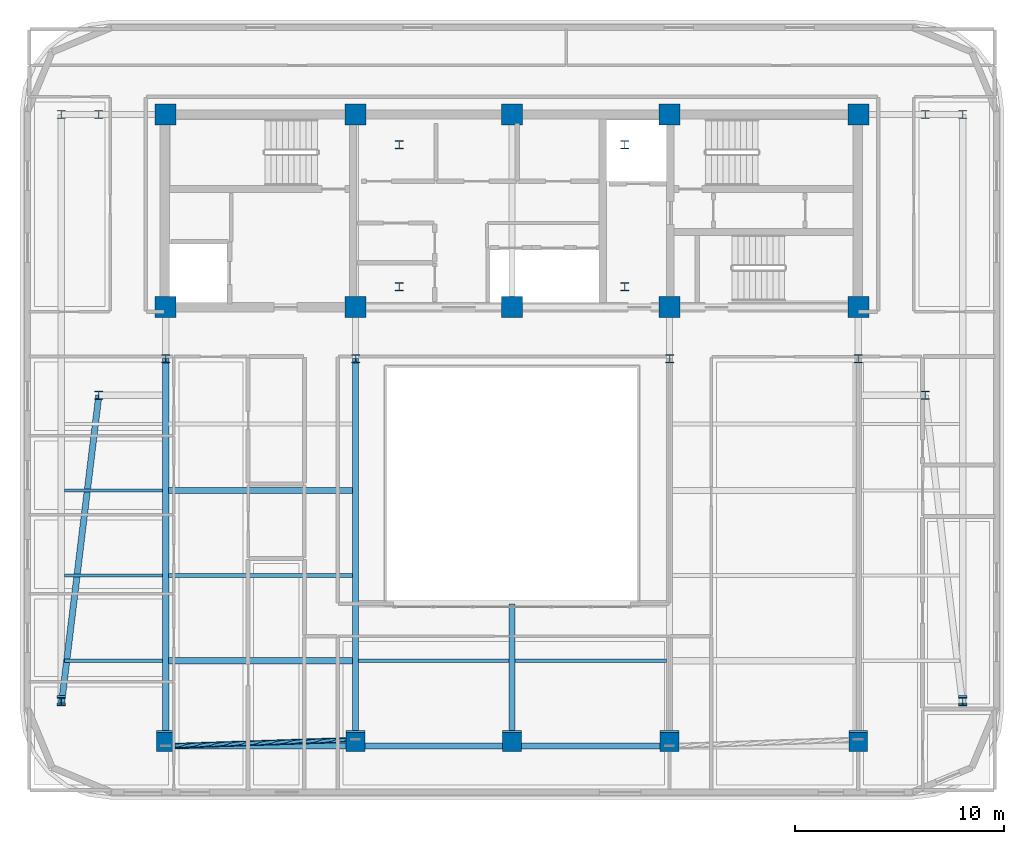
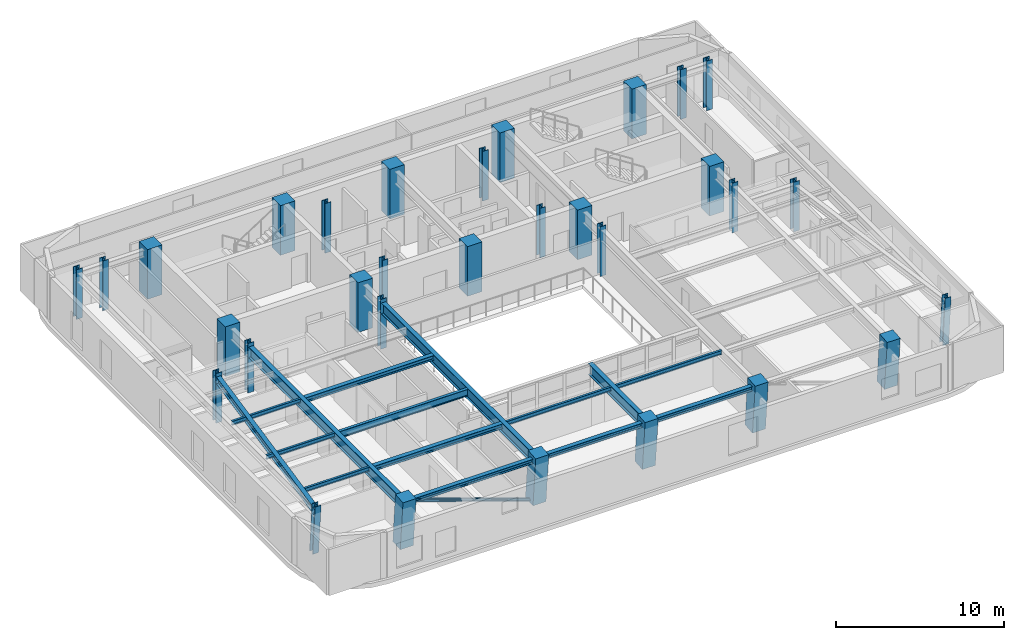
# One storey, part 1 of 14: 31 columns, 15 beams, 1 member.
"""IFC4 building model written with IfcOpenShell, lengths in metres."""

import ifcopenshell
import ifcopenshell.guid

model = None  # the IFC model being written
_history = None  # IfcOwnerHistory: only IFC2X3 demands one
_inside = {}  # id of a spatial element -> (the spatial element, [elements in it])
_under = {}  # id of a project, library or spatial element -> (it, [spatial elements below it])
_declared = {}  # id of a project -> (the project, [libraries it declares])
_typed = {}  # id of a type object -> (the type object, [elements of that type])
_made_of = {}  # id of a material, layer set ... -> (it, [elements and type objects made of it])


def new_model(schema):
    """Start an empty IFC model of exactly this schema.

    Asked for "IFC4X3", IfcOpenShell would pick the latest addendum, in which some entities
    have other attributes; the version numbers below select the first issue.
    IFC2X3 requires an IfcOwnerHistory on every rooted entity: one is made here for all.
    """
    global model, _history
    if schema == "IFC4X3":
        model = ifcopenshell.file(schema_version=(4, 3, 0, 0))
    else:
        model = ifcopenshell.file(schema=schema)
    _inside.clear()
    _under.clear()
    _declared.clear()
    _typed.clear()
    _made_of.clear()
    _history = None
    if model.schema == "IFC2X3":
        org = make("IfcOrganization", Name="unknown")
        user = make(
            "IfcPersonAndOrganization",
            ThePerson=make("IfcPerson", FamilyName="unknown"),
            TheOrganization=org,
        )
        app = make(
            "IfcApplication",
            ApplicationDeveloper=org,
            Version="unknown",
            ApplicationFullName="unknown",
            ApplicationIdentifier="unknown",
        )
        _history = make(
            "IfcOwnerHistory",
            OwningUser=user,
            OwningApplication=app,
            ChangeAction="ADDED",
            CreationDate=0,
        )
    return model


def make(cls, **values):
    """One entity of the class cls with the attributes given. An attribute that is None is left unset."""
    return model.create_entity(
        cls, **{name: value for name, value in values.items() if value is not None}
    )


def rooted(cls, **values):
    """An entity with a GlobalId (a new one), such as an element, a storey or a relation."""
    return make(cls, GlobalId=ifcopenshell.guid.new(), OwnerHistory=_history, **values)


def si_unit(unit_type, name, prefix=None):
    """IfcSIUnit, for example si_unit("LENGTHUNIT", "METRE", prefix="MILLI")."""
    return make("IfcSIUnit", UnitType=unit_type, Prefix=prefix, Name=name)


def assignment(units):
    """IfcUnitAssignment: the units of a project."""
    return None if units is None else make("IfcUnitAssignment", Units=units)


def point(xyz):
    """IfcCartesianPoint."""
    return None if xyz is None else make("IfcCartesianPoint", Coordinates=xyz)


def direction(xyz):
    """IfcDirection."""
    return None if xyz is None else make("IfcDirection", DirectionRatios=xyz)


def frame(location, z_axis=None, x_axis=None):
    """IfcAxis2Placement3D, a coordinate frame: its origin and axes. An axis left out is left unset."""
    return make(
        "IfcAxis2Placement3D",
        Location=point(location),
        Axis=direction(z_axis),
        RefDirection=direction(x_axis),
    )


def frame_2d(location, x_axis=None):
    """IfcAxis2Placement2D, a coordinate frame in the plane: its origin and x axis."""
    return make(
        "IfcAxis2Placement2D", Location=point(location), RefDirection=direction(x_axis)
    )


def origin():
    """The frame at (0, 0, 0) with its axes left unset."""
    return frame((0.0, 0.0, 0.0))


def origin_2d():
    """The frame at (0, 0) in the plane with its x axis left unset."""
    return frame_2d((0.0, 0.0))


def place(relative_to, where):
    """IfcLocalPlacement: puts the frame where relative to a parent placement (None: the world)."""
    return make(
        "IfcLocalPlacement", PlacementRelTo=relative_to, RelativePlacement=where
    )


def context(
    kind, dimensions, precision=None, world=None, true_north=None, identifier=None
):
    """IfcGeometricRepresentationContext, for example the 3D "Model" context."""
    return make(
        "IfcGeometricRepresentationContext",
        ContextIdentifier=identifier,
        ContextType=kind,
        CoordinateSpaceDimension=dimensions,
        Precision=precision,
        WorldCoordinateSystem=world,
        TrueNorth=true_north,
    )


def subcontext(parent, identifier, kind, view, scale=None):
    """IfcGeometricRepresentationSubContext, for example "Body" below "Model"."""
    return make(
        "IfcGeometricRepresentationSubContext",
        ContextIdentifier=identifier,
        ContextType=kind,
        ParentContext=parent,
        TargetScale=scale,
        TargetView=view,
    )


def project(units=None, contexts=None):
    """IfcProject with its units and contexts."""
    return rooted(
        "IfcProject",
        Name="project",
        RepresentationContexts=contexts,
        UnitsInContext=assignment(units),
    )


def spatial(cls, under=None, at=None, **own):
    """A site, building, storey or space (cls), placed at a placement, below another one or the project."""
    s = rooted(cls, ObjectPlacement=at, **own)
    if under is not None:
        _under.setdefault(under.id(), (under, []))[1].append(s)
    return s


def profile(cls, at=None, kind="AREA", **sizes):
    """A parametric profile (cls). Its sizes go by their IFC names, for example OverallWidth=200.0."""
    return make(cls, ProfileType=kind, Position=at, **sizes)


def rectangle(**sizes):
    """IfcRectangleProfileDef."""
    return profile("IfcRectangleProfileDef", **sizes)


def hollow_circle(**sizes):
    """IfcCircleHollowProfileDef."""
    return profile("IfcCircleHollowProfileDef", **sizes)


def i_section(**sizes):
    """IfcIShapeProfileDef."""
    return profile("IfcIShapeProfileDef", **sizes)


def extrude(swept, where, along, depth):
    """IfcExtrudedAreaSolid: the profile swept, set in the frame where, extruded along a direction by depth."""
    return make(
        "IfcExtrudedAreaSolid",
        SweptArea=swept,
        Position=where,
        ExtrudedDirection=direction(along),
        Depth=depth,
    )


def shape(context_of_items, identifier, shape_type, items):
    """IfcShapeRepresentation: the items that make up one representation, for example the "Body"."""
    return make(
        "IfcShapeRepresentation",
        ContextOfItems=context_of_items,
        RepresentationIdentifier=identifier,
        RepresentationType=shape_type,
        Items=items,
    )


def material(Name=None, Category=None):
    """IfcMaterial."""
    return make("IfcMaterial", Name=Name, Category=Category)


def material_profile(
    of_material, cross_section, Name=None, Category=None, Priority=None
):
    """IfcMaterialProfile: a cross section and its material."""
    return make(
        "IfcMaterialProfile",
        Name=Name,
        Material=of_material,
        Profile=cross_section,
        Priority=Priority,
        Category=Category,
    )


def profile_set(profiles, Name=None, composite=None):
    """IfcMaterialProfileSet."""
    return make(
        "IfcMaterialProfileSet",
        Name=Name,
        MaterialProfiles=profiles,
        CompositeProfile=composite,
    )


def made_of(thing, what):
    """Note that an element or type object is made of a material, layer set ...; save() writes the relation."""
    if what is not None:
        _made_of.setdefault(what.id(), (what, []))[1].append(thing)
    return thing


def type_object(cls, material=None, **own):
    """A type object (cls), such as IfcWallType, which elements share."""
    return made_of(rooted(cls, **own), material)


def element(
    cls,
    number,
    at=None,
    inside=None,
    cuts=None,
    type_object=None,
    material=None,
    context=None,
    identifier="Body",
    shape_type=None,
    held_by="IfcProductDefinitionShape",
    body=None,
    shapes=None,
    **own,
):
    """One element of the class cls, such as IfcWall. Its Tag is "e" and its number.

    at: its placement. inside: the storey or other place that contains it. cuts: it is an
    opening in that element (IfcRelVoidsElement). A single representation is given by context,
    identifier, shape_type and body (its items); several are given by shapes. held_by: the class
    of the entity that holds the representations. save() writes the other relations.
    """
    e = rooted(cls, Tag="e%d" % number, ObjectPlacement=at, **own)
    if body is not None:
        shapes = [shape(context, identifier, shape_type, body)]
    if shapes is not None:
        e.Representation = make(held_by, Representations=shapes)
    if inside is not None:
        _inside.setdefault(inside.id(), (inside, []))[1].append(e)
    if cuts is not None:
        rooted(
            "IfcRelVoidsElement", RelatingBuildingElement=cuts, RelatedOpeningElement=e
        )
    if type_object is not None:
        _typed.setdefault(type_object.id(), (type_object, []))[1].append(e)
    return made_of(e, material)


def aggregate(whole, parts):
    """IfcRelAggregates: a whole, such as a stair, and the parts it consists of."""
    return rooted("IfcRelAggregates", RelatingObject=whole, RelatedObjects=parts)


def save(model, path):
    """Write the relations noted so far, then the file.

    IfcRelAggregates (storeys below a building ...), IfcRelContainedInSpatialStructure (elements
    in a storey), IfcRelDefinesByType, IfcRelAssociatesMaterial and IfcRelDeclares: one each for
    every whole, place, type object, material and project.
    """
    for whole, parts in _under.values():
        aggregate(whole, parts)
    for where, things in _inside.values():
        rooted(
            "IfcRelContainedInSpatialStructure",
            RelatedElements=things,
            RelatingStructure=where,
        )
    for kind, things in _typed.values():
        rooted("IfcRelDefinesByType", RelatedObjects=things, RelatingType=kind)
    for what, things in _made_of.values():
        rooted("IfcRelAssociatesMaterial", RelatedObjects=things, RelatingMaterial=what)
    for by, libraries in _declared.values():
        rooted("IfcRelDeclares", RelatingContext=by, RelatedDefinitions=libraries)
    model.write(path)


model = new_model("IFC4")

# Units and contexts
model_context = context("Model", 3, precision=1e-05, world=origin(), true_north=direction((0.0, 1.0)))
body_context = subcontext(model_context, "Body", "Model", "MODEL_VIEW")
ifc_project = project(units=[si_unit("LENGTHUNIT", "METRE"), si_unit("AREAUNIT", "SQUARE_METRE"), si_unit("VOLUMEUNIT", "CUBIC_METRE"), si_unit("PLANEANGLEUNIT", "RADIAN"), si_unit("MASSUNIT", "GRAM", prefix="KILO")], contexts=[model_context])

# Site, building, storey
site_placement = place(None, origin())
site = spatial("IfcSite", under=ifc_project, at=site_placement, CompositionType="ELEMENT")
building_placement = place(site_placement, origin())
building = spatial("IfcBuilding", under=site, at=building_placement, Name="Zarnavel Station Tower", CompositionType="ELEMENT")
storey_placement = place(building_placement, frame((0.0, 0.0, 211.199951171875)))
storey = spatial("IfcBuildingStorey", under=building, at=storey_placement, Name="L57", CompositionType="ELEMENT", Elevation=211.199951171875)

# Columns
ifc_material_1 = material(Name="Steel S355J2", Category="steel")
ifc_material_profile_1 = material_profile(ifc_material_1, i_section(OverallWidth=0.407958984375, OverallDepth=0.39990234375, WebThickness=0.02490234375, FlangeThickness=0.0390625, FilletRadius=0.014892578125, at=origin_2d()), Name="HD400x287")
ifc_profile_set_1 = profile_set([ifc_material_profile_1], Name="Steel S355J2")
column_type_1 = type_object("IfcColumnType", Name="EC_HD287", PredefinedType="COLUMN", material=ifc_profile_set_1)
column_1_placement = place(storey_placement, frame((7.199951171875, 8.996826171875, 0.0), z_axis=(0.0, -0.079901051777, 0.996802799918), x_axis=(1.0, 0.0, 0.0)))
element("IfcColumn", 1, at=column_1_placement, inside=storey, type_object=column_type_1, Name="L57 Raked Wing Column 1", PredefinedType="COLUMN", context=body_context, shape_type="SweptSolid", body=[
    extrude(i_section(OverallWidth=0.407958984375, OverallDepth=0.39990234375, WebThickness=0.02490234375, FlangeThickness=0.0390625, FilletRadius=0.014892578125, at=origin_2d()), origin(), (0.0, 0.0, 1.0), 3.611572265625),
])
column_2_placement = place(storey_placement, frame((7.199951171875, 37.050048828125, 0.0), z_axis=(0.0, 0.0, 1.0), x_axis=(1.0, 0.0, 0.0)))
element("IfcColumn", 2, at=column_2_placement, inside=storey, type_object=column_type_1, Name="L57 Outer Wing North Column 1", PredefinedType="COLUMN", context=body_context, shape_type="SweptSolid", body=[
    extrude(i_section(OverallWidth=0.407958984375, OverallDepth=0.39990234375, WebThickness=0.02490234375, FlangeThickness=0.0390625, FilletRadius=0.014892578125, at=origin_2d()), origin(), (0.0, 0.0, 1.0), 3.60009765625),
])
column_3_placement = place(storey_placement, frame((50.39990234375, 8.996826171875, 0.0), z_axis=(0.0, -0.079901051777, 0.996802799918), x_axis=(1.0, 0.0, 0.0)))
element("IfcColumn", 3, at=column_3_placement, inside=storey, type_object=column_type_1, Name="L57 Raked Wing Column 2", PredefinedType="COLUMN", context=body_context, shape_type="SweptSolid", body=[
    extrude(i_section(OverallWidth=0.407958984375, OverallDepth=0.39990234375, WebThickness=0.02490234375, FlangeThickness=0.0390625, FilletRadius=0.014892578125, at=origin_2d()), origin(), (0.0, 0.0, 1.0), 3.611572265625),
])
column_4_placement = place(storey_placement, frame((50.39990234375, 37.050048828125, 0.0), z_axis=(0.0, 0.0, 1.0), x_axis=(1.0, 0.0, 0.0)))
element("IfcColumn", 4, at=column_4_placement, inside=storey, type_object=column_type_1, Name="L57 Outer Wing North Column 2", PredefinedType="COLUMN", context=body_context, shape_type="SweptSolid", body=[
    extrude(i_section(OverallWidth=0.407958984375, OverallDepth=0.39990234375, WebThickness=0.02490234375, FlangeThickness=0.0390625, FilletRadius=0.014892578125, at=origin_2d()), origin(), (0.0, 0.0, 1.0), 3.60009765625),
])
ifc_material_2 = material(Name="Steel S355J2", Category="steel")
ifc_material_profile_2 = material_profile(ifc_material_2, i_section(OverallWidth=0.407958984375, OverallDepth=0.39990234375, WebThickness=0.02490234375, FlangeThickness=0.0390625, FilletRadius=0.014892578125, at=origin_2d()), Name="HD400x287")
ifc_profile_set_2 = profile_set([ifc_material_profile_2], Name="Steel S355J2")
column_type_2 = type_object("IfcColumnType", Name="IC_HD287", PredefinedType="COLUMN", material=ifc_profile_set_2)
for number, where, z_axis, x_axis, name in (
    (5, (23.39990234375, 28.800048828125, 0.0), (0.0, 0.0, 1.0), (1.0, 0.0, 0.0), "L57 Mast Spine Column 1"),
    (6, (34.199951171875, 28.800048828125, 0.0), (0.0, 0.0, 1.0), (1.0, 0.0, 0.0), "L57 Mast Spine Column 2"),
    (7, (34.199951171875, 35.60009765625, 0.0), (0.0, 0.0, 1.0), (1.0, 0.0, 0.0), "L57 Mast Spine Column 3"),
    (8, (23.39990234375, 35.60009765625, 0.0), (0.0, 0.0, 1.0), (1.0, 0.0, 0.0), "L57 Mast Spine Column 4"),
    (9, (12.199951171875, 25.35009765625, 0.0), (0.0, 0.0, 1.0), (1.0, 0.0, 0.0), "L57 Inner Spine Column 1"),
    (10, (21.300048828125, 25.35009765625, 0.0), (0.0, 0.0, 1.0), (1.0, 0.0, 0.0), "L57 Inner Spine Column 2"),
    (11, (36.35009765625, 25.35009765625, 0.0), (0.0, 0.0, 1.0), (1.0, 0.0, 0.0), "L57 Inner Spine Column 4"),
    (12, (45.39990234375, 25.35009765625, 0.0), (0.0, 0.0, 1.0), (1.0, 0.0, 0.0), "L57 Inner Spine Column 5"),
    (13, (9.0, 23.60009765625, 0.0), (0.0, 0.0, 1.0), (1.0, 0.0, 0.0), "L57 Inner Wing Spine Column 1-1"),
    (14, (9.0, 37.050048828125, 0.0), (0.0, 0.0, 1.0), (1.0, 0.0, 0.0), "L57 Inner Wing Spine Column 1-2"),
    (15, (48.60009765625, 23.60009765625, 0.0), (0.0, 0.0, 1.0), (1.0, 0.0, 0.0), "L57 Inner Wing Spine Column 2-1"),
    (16, (48.60009765625, 37.050048828125, 0.0), (0.0, 0.0, 1.0), (1.0, 0.0, 0.0), "L57 Inner Wing Spine Column 2-2"),
):
    element("IfcColumn", number, at=place(storey_placement, frame(where, z_axis=z_axis, x_axis=x_axis)), inside=storey, type_object=column_type_2, Name=name, PredefinedType="COLUMN", context=body_context, shape_type="SweptSolid", body=[
        extrude(i_section(OverallWidth=0.407958984375, OverallDepth=0.39990234375, WebThickness=0.02490234375, FlangeThickness=0.0390625, FilletRadius=0.014892578125, at=origin_2d()), origin(), (0.0, 0.0, 1.0), 3.60009765625),
    ])
ifc_material_3 = material(Name="Concrete C50/60", Category="concrete")
ifc_material_profile_3 = material_profile(ifc_material_3, rectangle(XDim=1.0, YDim=1.0, at=origin_2d()), Name="RC1000x1000")
ifc_profile_set_3 = profile_set([ifc_material_profile_3], Name="Concrete C50/60")
column_type_3 = type_object("IfcColumnType", Name="IC_RC1000", PredefinedType="COLUMN", material=ifc_profile_set_3)
for number, where, z_axis, x_axis, name in (
    (17, (12.199951171875, 27.820068359375, 0.0), (0.0, 0.0, 1.0), (1.0, 0.0, 0.0), "L57 Core Spine Column 1-1"),
    (18, (12.199951171875, 37.050048828125, 0.0), (0.0, 0.0, 1.0), (1.0, 0.0, 0.0), "L57 Core Spine Column 1-2"),
    (19, (21.300048828125, 27.820068359375, 0.0), (0.0, 0.0, 1.0), (1.0, 0.0, 0.0), "L57 Core Spine Column 2-1"),
    (20, (21.300048828125, 37.050048828125, 0.0), (0.0, 0.0, 1.0), (1.0, 0.0, 0.0), "L57 Core Spine Column 2-2"),
    (21, (28.800048828125, 27.820068359375, 0.0), (0.0, 0.0, 1.0), (1.0, 0.0, 0.0), "L57 Core Spine Column 3-1"),
    (22, (28.800048828125, 37.050048828125, 0.0), (0.0, 0.0, 1.0), (1.0, 0.0, 0.0), "L57 Core Spine Column 3-2"),
    (23, (36.35009765625, 27.820068359375, 0.0), (0.0, 0.0, 1.0), (1.0, 0.0, 0.0), "L57 Core Spine Column 4-1"),
    (24, (36.35009765625, 37.050048828125, 0.0), (0.0, 0.0, 1.0), (1.0, 0.0, 0.0), "L57 Core Spine Column 4-2"),
    (25, (45.39990234375, 27.820068359375, 0.0), (0.0, 0.0, 1.0), (1.0, 0.0, 0.0), "L57 Core Spine Column 5-1"),
    (26, (45.39990234375, 37.050048828125, 0.0), (0.0, 0.0, 1.0), (1.0, 0.0, 0.0), "L57 Core Spine Column 5-2"),
):
    element("IfcColumn", number, at=place(storey_placement, frame(where, z_axis=z_axis, x_axis=x_axis)), inside=storey, type_object=column_type_3, Name=name, PredefinedType="COLUMN", context=body_context, shape_type="SweptSolid", body=[
        extrude(rectangle(XDim=1.0, YDim=1.0, at=origin_2d()), origin(), (0.0, 0.0, 1.0), 3.60009765625),
    ])
ifc_material_4 = material(Name="Concrete C50/60", Category="concrete")
ifc_material_profile_4 = material_profile(ifc_material_4, rectangle(XDim=0.89990234375, YDim=0.89990234375, at=origin_2d()), Name="RC900x900")
ifc_profile_set_4 = profile_set([ifc_material_profile_4], Name="Concrete C50/60")
column_type_4 = type_object("IfcColumnType", Name="MC_RC900", PredefinedType="COLUMN", material=ifc_profile_set_4)
for number, where, z_axis, x_axis, name in (
    (27, (12.199951171875, 7.089111328125, 0.0), (0.0, -0.090298253426, 0.995914768154), (1.0, 0.0, 0.0), "L57 Raked South Mega-Column 1"),
    (28, (21.300048828125, 7.089111328125, 0.0), (0.0, -0.090298253426, 0.995914768154), (1.0, 0.0, 0.0), "L57 Raked South Mega-Column 2"),
    (29, (28.800048828125, 7.089111328125, 0.0), (0.0, -0.090298253426, 0.995914768154), (1.0, 0.0, 0.0), "L57 Raked South Mega-Column 3"),
    (30, (36.35009765625, 7.089111328125, 0.0), (0.0, -0.090298253426, 0.995914768154), (1.0, 0.0, 0.0), "L57 Raked South Mega-Column 4"),
    (31, (45.39990234375, 7.089111328125, 0.0), (0.0, -0.090298253426, 0.995914768154), (1.0, 0.0, 0.0), "L57 Raked South Mega-Column 5"),
):
    element("IfcColumn", number, at=place(storey_placement, frame(where, z_axis=z_axis, x_axis=x_axis)), inside=storey, type_object=column_type_4, Name=name, PredefinedType="COLUMN", context=body_context, shape_type="SweptSolid", body=[
        extrude(rectangle(XDim=0.89990234375, YDim=0.89990234375, at=origin_2d()), origin(), (0.0, 0.0, 1.0), 3.61474609375),
    ])

# Member
ifc_material_5 = material(Name="Steel S355J2", Category="steel")
ifc_material_profile_5 = material_profile(ifc_material_5, hollow_circle(Radius=0.122314453125, WallThickness=0.010009765625, at=origin_2d()), Name="CHS244.5x10")
ifc_profile_set_5 = profile_set([ifc_material_profile_5], Name="Steel S355J2")
member_type = type_object("IfcMemberType", Name="DB_EXT_CHS245", PredefinedType="BRACE", material=ifc_profile_set_5)
member_placement = place(storey_placement, frame((21.300048828125, 7.089111328125, 0.0), z_axis=(-0.938305928034, -0.03121477037, 0.344394575346), x_axis=(0.033248763554, -0.999447107016, 0.0)))
element("IfcMember", 32, at=member_placement, inside=storey, type_object=member_type, Name="L57 Persian Exterior Diagonal Frame Brace 1", PredefinedType="BRACE", context=body_context, shape_type="SweptSolid", body=[
    extrude(hollow_circle(Radius=0.122314453125, WallThickness=0.010009765625, at=origin_2d()), origin(), (0.0, 0.0, 1.0), 9.698486328125),
])

# Beams
ifc_material_6 = material(Name="Steel S355J2", Category="steel")
ifc_material_profile_6 = material_profile(ifc_material_6, i_section(OverallWidth=0.300048828125, OverallDepth=0.320068359375, WebThickness=0.011474609375, FlangeThickness=0.0205078125, FilletRadius=0.027099609375, at=origin_2d()), Name="HEB320")
ifc_profile_set_6 = profile_set([ifc_material_profile_6], Name="Steel S355J2")
beam_type_1 = type_object("IfcBeamType", Name="EB_HEB320", PredefinedType="SPANDREL", material=ifc_profile_set_6)
beam_1_placement = place(storey_placement, frame((12.199951171875, 6.786376953125, 3.179931640625), z_axis=(1.0, 0.0, 0.0), x_axis=(0.0, 1.0, 0.0)))
element("IfcBeam", 33, at=beam_1_placement, inside=storey, type_object=beam_type_1, Name="L57 South Raked Spandrel 1", PredefinedType="SPANDREL", context=body_context, shape_type="SweptSolid", body=[
    extrude(i_section(OverallWidth=0.300048828125, OverallDepth=0.320068359375, WebThickness=0.011474609375, FlangeThickness=0.0205078125, FilletRadius=0.027099609375, at=origin_2d()), origin(), (0.0, 0.0, 1.0), 9.10009765625),
])
beam_2_placement = place(storey_placement, frame((21.300048828125, 6.786376953125, 3.179931640625), z_axis=(1.0, 0.0, 0.0), x_axis=(0.0, 1.0, 0.0)))
element("IfcBeam", 34, at=beam_2_placement, inside=storey, type_object=beam_type_1, Name="L57 South Raked Spandrel 2", PredefinedType="SPANDREL", context=body_context, shape_type="SweptSolid", body=[
    extrude(i_section(OverallWidth=0.300048828125, OverallDepth=0.320068359375, WebThickness=0.011474609375, FlangeThickness=0.0205078125, FilletRadius=0.027099609375, at=origin_2d()), origin(), (0.0, 0.0, 1.0), 7.5),
])
beam_3_placement = place(storey_placement, frame((28.800048828125, 6.786376953125, 3.179931640625), z_axis=(1.0, 0.0, 0.0), x_axis=(0.0, 1.0, 0.0)))
element("IfcBeam", 35, at=beam_3_placement, inside=storey, type_object=beam_type_1, Name="L57 South Raked Spandrel 3", PredefinedType="SPANDREL", context=body_context, shape_type="SweptSolid", body=[
    extrude(i_section(OverallWidth=0.300048828125, OverallDepth=0.320068359375, WebThickness=0.011474609375, FlangeThickness=0.0205078125, FilletRadius=0.027099609375, at=origin_2d()), origin(), (0.0, 0.0, 1.0), 7.550048828125),
])
ifc_material_7 = material(Name="Steel S355J2", Category="steel")
ifc_material_profile_7 = material_profile(ifc_material_7, i_section(OverallWidth=0.300048828125, OverallDepth=0.35009765625, WebThickness=0.010009765625, FlangeThickness=0.017578125, FilletRadius=0.027099609375, at=origin_2d()), Name="HEA360")
ifc_profile_set_7 = profile_set([ifc_material_profile_7], Name="Steel S355J2")
beam_type_2 = type_object("IfcBeamType", Name="FB_HEA360", PredefinedType="BEAM", material=ifc_profile_set_7)
for number, where, z_axis, x_axis, name in (
    (36, (12.344970703125, 10.869140625, 3.1650390625), (1.0, 0.0, 0.0), (0.0, 1.0, 0.0), "L57 West Bay Beam 1"),
    (37, (12.344970703125, 19.03466796875, 3.1650390625), (1.0, 0.0, 0.0), (0.0, 1.0, 0.0), "L57 West Bay Beam 3"),
):
    element("IfcBeam", number, at=place(storey_placement, frame(where, z_axis=z_axis, x_axis=x_axis)), inside=storey, type_object=beam_type_2, Name=name, PredefinedType="BEAM", context=body_context, shape_type="SweptSolid", body=[
        extrude(i_section(OverallWidth=0.300048828125, OverallDepth=0.35009765625, WebThickness=0.010009765625, FlangeThickness=0.017578125, FilletRadius=0.027099609375, at=origin_2d()), origin(), (0.0, 0.0, 1.0), 8.81005859375),
    ])
ifc_material_8 = material(Name="Steel S355J2", Category="steel")
ifc_material_profile_8 = material_profile(ifc_material_8, i_section(OverallWidth=0.199951171875, OverallDepth=0.5, WebThickness=0.01025390625, FlangeThickness=0.01611328125, FilletRadius=0.02099609375, at=origin_2d()), Name="IPE500")
ifc_profile_set_8 = profile_set([ifc_material_profile_8], Name="Steel S355J2")
beam_type_3 = type_object("IfcBeamType", Name="FB_IPE500", PredefinedType="BEAM", material=ifc_profile_set_8)
beam_4_placement = place(storey_placement, frame((12.344970703125, 14.951904296875, 3.090087890625), z_axis=(1.0, 0.0, 0.0), x_axis=(0.0, 1.0, 0.0)))
element("IfcBeam", 38, at=beam_4_placement, inside=storey, type_object=beam_type_3, Name="L57 West Bay Beam 2", PredefinedType="BEAM", context=body_context, shape_type="SweptSolid", body=[
    extrude(i_section(OverallWidth=0.199951171875, OverallDepth=0.5, WebThickness=0.01025390625, FlangeThickness=0.01611328125, FilletRadius=0.02099609375, at=origin_2d()), origin(), (0.0, 0.0, 1.0), 8.81005859375),
])
ifc_material_9 = material(Name="Steel S355J2", Category="steel")
ifc_material_profile_9 = material_profile(ifc_material_9, i_section(OverallWidth=0.300048828125, OverallDepth=0.5, WebThickness=0.014404296875, FlangeThickness=0.028076171875, FilletRadius=0.027099609375, at=origin_2d()), Name="HEB500")
ifc_profile_set_9 = profile_set([ifc_material_profile_9], Name="Steel S355J2")
beam_type_4 = type_object("IfcBeamType", Name="FG_HEB500", PredefinedType="USERDEFINED", material=ifc_profile_set_9)
beam_5_placement = place(storey_placement, frame((7.199951171875, 8.72900390625, 3.090087890625), z_axis=(0.120166363539, 0.992753768602, 0.0), x_axis=(-0.992753768602, 0.120166363539, 0.0)))
element("IfcBeam", 39, at=beam_5_placement, inside=storey, type_object=beam_type_4, Name="L57 West Wing South Tie 1", ObjectType="GIRDER", PredefinedType="USERDEFINED", context=body_context, shape_type="SweptSolid", body=[
    extrude(i_section(OverallWidth=0.300048828125, OverallDepth=0.5, WebThickness=0.014404296875, FlangeThickness=0.028076171875, FilletRadius=0.027099609375, at=origin_2d()), origin(), (0.0, 0.0, 1.0), 14.979736328125),
])
ifc_material_10 = material(Name="Steel S355J2", Category="steel")
ifc_material_profile_10 = material_profile(ifc_material_10, i_section(OverallWidth=0.300048828125, OverallDepth=0.800048828125, WebThickness=0.017578125, FlangeThickness=0.032958984375, FilletRadius=0.030029296875, at=origin_2d()), Name="HEB800")
ifc_profile_set_10 = profile_set([ifc_material_profile_10], Name="Steel S355J2")
beam_type_5 = type_object("IfcBeamType", Name="FG_HEB800", PredefinedType="USERDEFINED", material=ifc_profile_set_10)
for number, where, z_axis, x_axis, name in (
    (40, (12.199951171875, 6.786376953125, 2.93994140625), (0.0, 1.0, 0.0), (-1.0, 0.0, 0.0), "L57 South-Zone NS Girder 1"),
    (41, (21.300048828125, 6.786376953125, 2.93994140625), (0.0, 1.0, 0.0), (-1.0, 0.0, 0.0), "L57 South-Zone NS Girder 2"),
):
    element("IfcBeam", number, at=place(storey_placement, frame(where, z_axis=z_axis, x_axis=x_axis)), inside=storey, type_object=beam_type_5, Name=name, ObjectType="GIRDER", PredefinedType="USERDEFINED", context=body_context, shape_type="SweptSolid", body=[
        extrude(i_section(OverallWidth=0.300048828125, OverallDepth=0.800048828125, WebThickness=0.017578125, FlangeThickness=0.032958984375, FilletRadius=0.030029296875, at=origin_2d()), origin(), (0.0, 0.0, 1.0), 18.563720703125),
    ])
beam_6_placement = place(storey_placement, frame((28.800048828125, 6.786376953125, 2.93994140625), z_axis=(0.0, 1.0, 0.0), x_axis=(-1.0, 0.0, 0.0)))
element("IfcBeam", 42, at=beam_6_placement, inside=storey, type_object=beam_type_5, Name="L57 Central Atrium-South Girder", ObjectType="GIRDER", PredefinedType="USERDEFINED", context=body_context, shape_type="SweptSolid", body=[
    extrude(i_section(OverallWidth=0.300048828125, OverallDepth=0.800048828125, WebThickness=0.017578125, FlangeThickness=0.032958984375, FilletRadius=0.030029296875, at=origin_2d()), origin(), (0.0, 0.0, 1.0), 6.813720703125),
])
ifc_material_11 = material(Name="Steel S355J2", Category="steel")
ifc_material_profile_11 = material_profile(ifc_material_11, i_section(OverallWidth=0.14990234375, OverallDepth=0.300048828125, WebThickness=0.007080078125, FlangeThickness=0.0107421875, FilletRadius=0.014892578125, at=origin_2d()), Name="IPE300")
ifc_profile_set_11 = profile_set([ifc_material_profile_11], Name="Steel S355J2")
beam_type_6 = type_object("IfcBeamType", Name="FJ_IPE300", PredefinedType="JOIST", material=ifc_profile_set_11)
beam_7_placement = place(storey_placement, frame((21.445068359375, 10.869140625, 3.18994140625), z_axis=(1.0, 0.0, 0.0), x_axis=(0.0, 1.0, 0.0)))
element("IfcBeam", 43, at=beam_7_placement, inside=storey, type_object=beam_type_6, Name="L57 Mid-West Joist 1", PredefinedType="JOIST", context=body_context, shape_type="SweptSolid", body=[
    extrude(i_section(OverallWidth=0.14990234375, OverallDepth=0.300048828125, WebThickness=0.007080078125, FlangeThickness=0.0107421875, FilletRadius=0.014892578125, at=origin_2d()), origin(), (0.0, 0.0, 1.0), 7.2099609375),
])
beam_8_placement = place(storey_placement, frame((28.945068359375, 10.869140625, 3.18994140625), z_axis=(1.0, 0.0, 0.0), x_axis=(0.0, 1.0, 0.0)))
element("IfcBeam", 44, at=beam_8_placement, inside=storey, type_object=beam_type_6, Name="L57 Mid-East Joist 1", PredefinedType="JOIST", context=body_context, shape_type="SweptSolid", body=[
    extrude(i_section(OverallWidth=0.14990234375, OverallDepth=0.300048828125, WebThickness=0.007080078125, FlangeThickness=0.0107421875, FilletRadius=0.014892578125, at=origin_2d()), origin(), (0.0, 0.0, 1.0), 7.260009765625),
])
for number, where, z_axis, x_axis, name in (
    (45, (7.344970703125, 10.869140625, 3.18994140625), (1.0, 0.0, 0.0), (0.0, 1.0, 0.0), "L57 West Wing Joist 1"),
    (46, (7.344970703125, 14.951904296875, 3.18994140625), (1.0, 0.0, 0.0), (0.0, 1.0, 0.0), "L57 West Wing Joist 2"),
    (47, (7.344970703125, 19.03466796875, 3.18994140625), (1.0, 0.0, 0.0), (0.0, 1.0, 0.0), "L57 West Wing Joist 3"),
):
    element("IfcBeam", number, at=place(storey_placement, frame(where, z_axis=z_axis, x_axis=x_axis)), inside=storey, type_object=beam_type_6, Name=name, PredefinedType="JOIST", context=body_context, shape_type="SweptSolid", body=[
        extrude(i_section(OverallWidth=0.14990234375, OverallDepth=0.300048828125, WebThickness=0.007080078125, FlangeThickness=0.0107421875, FilletRadius=0.014892578125, at=origin_2d()), origin(), (0.0, 0.0, 1.0), 4.7099609375),
    ])

save(model, "model.ifc")
